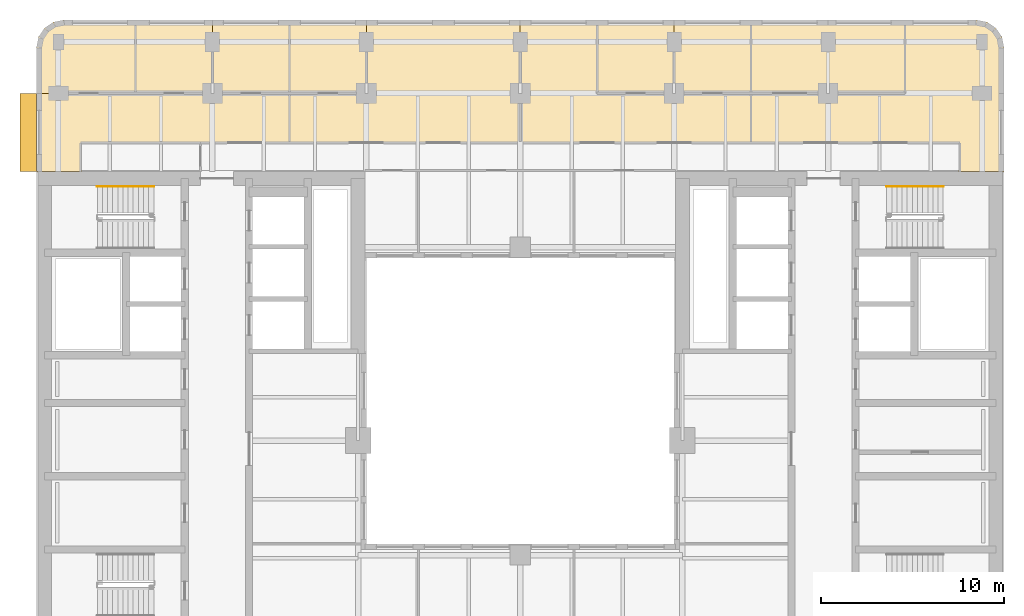
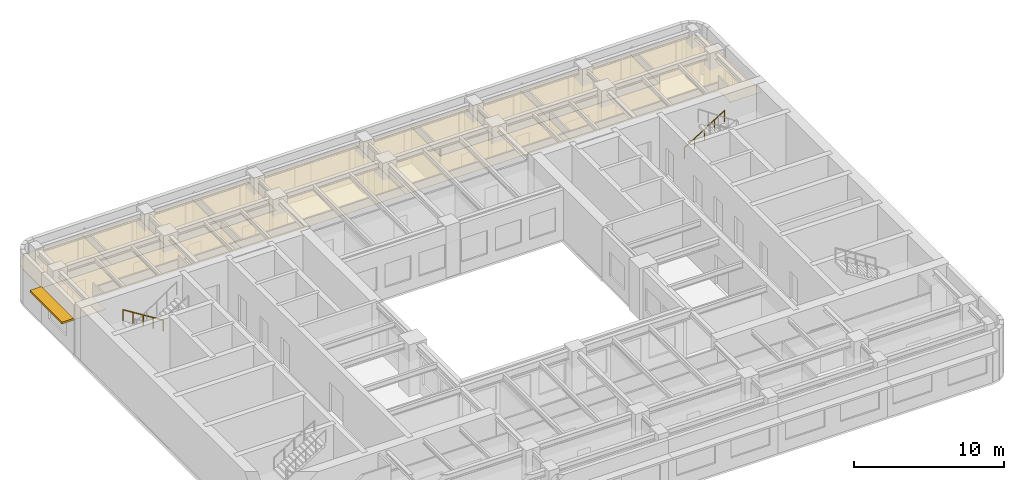
# One storey, part 11 of 11: 11 coverings, 2 railings, 1 shading device.
"""IFC4 building model written with IfcOpenShell, lengths in metres."""

from ifc_helpers import new_model, si_unit, direction, frame, origin, origin_2d, place, context, subcontext, project, spatial, polyline, rectangle, circle, outline, extrude, material, layer, layer_set, type_object, element, save


model = new_model("IFC4")

# Units and contexts
model_context = context("Model", 3, precision=1e-05, world=origin(), true_north=direction((0.0, 1.0)))
body_context = subcontext(model_context, "Body", "Model", "MODEL_VIEW")
ifc_project = project(units=[si_unit("LENGTHUNIT", "METRE"), si_unit("AREAUNIT", "SQUARE_METRE"), si_unit("VOLUMEUNIT", "CUBIC_METRE"), si_unit("PLANEANGLEUNIT", "RADIAN"), si_unit("MASSUNIT", "GRAM", prefix="KILO")], contexts=[model_context])

# Site, building, storey
site_placement = place(None, origin())
site = spatial("IfcSite", under=ifc_project, at=site_placement, CompositionType="ELEMENT")
building_placement = place(site_placement, origin())
building = spatial("IfcBuilding", under=site, at=building_placement, Name="Claustro Exchange Tower", CompositionType="ELEMENT")
storey_placement = place(building_placement, frame((0.0, 0.0, 219.60009765625)))
storey = spatial("IfcBuildingStorey", under=building, at=storey_placement, Name="L50", CompositionType="ELEMENT", Elevation=219.60009765625)

# Coverings
ifc_material_1 = material(Name="Perforated metal ceiling tiles", Category="steel")
ifc_layer_1 = layer(ifc_material_1, 0.030029296875)
ifc_layer_set_1 = layer_set([ifc_layer_1], Name="Perforated metal ceiling tiles")
covering_type_1 = type_object("IfcCoveringType", Name="CL1 suspended metal ceiling", PredefinedType="CEILING", material=ifc_layer_set_1)
covering_1_placement = place(storey_placement, frame((0.0, 0.0, 2.7998046875)))
element("IfcCovering", 1, at=covering_1_placement, inside=storey, type_object=covering_type_1, Name="Ceiling CL1 L50-23", PredefinedType="CEILING", context=body_context, shape_type="SweptSolid", body=[
    extrude(outline(polyline([(-1.125, 37.72509765625), (1.294921875, 37.72509765625), (1.294921875, 37.800048828125), (1.199951171875, 37.800048828125), (1.199951171875, 39.300048828125), (12.60009765625, 39.300048828125), (12.60009765625, 42.0), (-1.199951171875, 42.0), (-1.199951171875, 37.705078125), (-1.125, 37.705078125), (-1.125, 37.72509765625)])), origin(), (0.0, 0.0, 1.0), 0.030029296875),
])
ifc_material_2 = material(Name="Gypsum board ceiling", Category="gypsum board")
ifc_layer_2 = layer(ifc_material_2, 0.02490234375)
ifc_layer_set_2 = layer_set([ifc_layer_2], Name="Gypsum board ceiling")
covering_type_2 = type_object("IfcCoveringType", Name="CL2 plasterboard ceiling", PredefinedType="CEILING", material=ifc_layer_set_2)
covering_2_placement = place(storey_placement, frame((0.0, 0.0, 2.7998046875)))
element("IfcCovering", 2, at=covering_2_placement, inside=storey, type_object=covering_type_2, Name="Ceiling CL2 L50-24", PredefinedType="CEILING", context=body_context, shape_type="SweptSolid", body=[
    extrude(outline(polyline([(51.52490234375, 37.72509765625), (51.52490234375, 37.705078125), (51.60009765625, 37.705078125), (51.60009765625, 44.5), (51.48583984375, 45.073974609375), (51.16064453125, 45.560791015625), (50.674072265625, 45.8857421875), (50.10009765625, 46.0), (46.199951171875, 46.0), (46.199951171875, 42.0), (37.800048828125, 42.0), (37.800048828125, 39.300048828125), (49.199951171875, 39.300048828125), (49.199951171875, 37.800048828125), (49.10498046875, 37.800048828125), (49.10498046875, 37.72509765625), (51.52490234375, 37.72509765625)])), origin(), (0.0, 0.0, 1.0), 0.025146484375),
])
covering_3_placement = place(storey_placement, frame((0.0, 0.0, 2.7998046875)))
element("IfcCovering", 3, at=covering_3_placement, inside=storey, type_object=covering_type_2, Name="Ceiling CL2 L50-25", PredefinedType="CEILING", context=body_context, shape_type="SweptSolid", body=[
    extrude(outline(polyline([(29.39990234375, 46.0), (25.199951171875, 46.0), (25.199951171875, 39.300048828125), (37.800048828125, 39.300048828125), (37.800048828125, 42.0), (33.60009765625, 42.0), (29.39990234375, 42.0), (29.39990234375, 46.0)])), origin(), (0.0, 0.0, 1.0), 0.025146484375),
])
covering_4_placement = place(storey_placement, frame((0.0, 0.0, 2.7998046875)))
element("IfcCovering", 4, at=covering_4_placement, inside=storey, type_object=covering_type_2, Name="Ceiling CL2 L50-26", PredefinedType="CEILING", context=body_context, shape_type="SweptSolid", body=[
    extrude(outline(polyline([(25.199951171875, 46.0), (16.800048828125, 46.0), (16.800048828125, 42.0), (12.60009765625, 42.0), (12.60009765625, 39.300048828125), (25.199951171875, 39.300048828125), (25.199951171875, 46.0)])), origin(), (0.0, 0.0, 1.0), 0.025146484375),
])
covering_5_placement = place(storey_placement, frame((0.0, 0.0, 2.7998046875)))
element("IfcCovering", 5, at=covering_5_placement, inside=storey, type_object=covering_type_2, Name="Ceiling CL2 L50-27", PredefinedType="CEILING", context=body_context, shape_type="SweptSolid", body=[
    extrude(outline(polyline([(-1.199951171875, 44.5), (-1.199951171875, 42.0), (4.199951171875, 42.0), (4.199951171875, 46.0), (0.300048828125, 46.0), (-0.27392578125, 45.8857421875), (-0.7607421875, 45.560791015625), (-1.085693359375, 45.073974609375), (-1.199951171875, 44.5)])), origin(), (0.0, 0.0, 1.0), 0.025146484375),
])
covering_6_placement = place(storey_placement, frame((0.0, 0.0, 2.7998046875)))
element("IfcCovering", 6, at=covering_6_placement, inside=storey, type_object=covering_type_2, Name="Ceiling CL2 L50-28", PredefinedType="CEILING", context=body_context, shape_type="SweptSolid", body=[
    extrude(outline(polyline([(8.39990234375, 46.0), (4.199951171875, 46.0), (4.199951171875, 42.0), (8.39990234375, 42.0), (8.39990234375, 46.0)])), origin(), (0.0, 0.0, 1.0), 0.025146484375),
])
covering_7_placement = place(storey_placement, frame((0.0, 0.0, 2.7998046875)))
element("IfcCovering", 7, at=covering_7_placement, inside=storey, type_object=covering_type_2, Name="Ceiling CL2 L50-29", PredefinedType="CEILING", context=body_context, shape_type="SweptSolid", body=[
    extrude(outline(polyline([(12.60009765625, 46.0), (8.39990234375, 46.0), (8.39990234375, 42.0), (12.60009765625, 42.0), (12.60009765625, 46.0)])), origin(), (0.0, 0.0, 1.0), 0.025146484375),
])
covering_8_placement = place(storey_placement, frame((0.0, 0.0, 2.7998046875)))
element("IfcCovering", 8, at=covering_8_placement, inside=storey, type_object=covering_type_2, Name="Ceiling CL2 L50-30", PredefinedType="CEILING", context=body_context, shape_type="SweptSolid", body=[
    extrude(outline(polyline([(16.800048828125, 46.0), (12.60009765625, 46.0), (12.60009765625, 42.0), (16.800048828125, 42.0), (16.800048828125, 46.0)])), origin(), (0.0, 0.0, 1.0), 0.025146484375),
])
covering_9_placement = place(storey_placement, frame((0.0, 0.0, 2.7998046875)))
element("IfcCovering", 9, at=covering_9_placement, inside=storey, type_object=covering_type_2, Name="Ceiling CL2 L50-31", PredefinedType="CEILING", context=body_context, shape_type="SweptSolid", body=[
    extrude(outline(polyline([(33.60009765625, 46.0), (29.39990234375, 46.0), (29.39990234375, 42.0), (33.60009765625, 42.0), (33.60009765625, 46.0)])), origin(), (0.0, 0.0, 1.0), 0.025146484375),
])
covering_10_placement = place(storey_placement, frame((0.0, 0.0, 2.7998046875)))
element("IfcCovering", 10, at=covering_10_placement, inside=storey, type_object=covering_type_2, Name="Ceiling CL2 L50-32", PredefinedType="CEILING", context=body_context, shape_type="SweptSolid", body=[
    extrude(outline(polyline([(37.800048828125, 46.0), (33.60009765625, 46.0), (33.60009765625, 42.0), (37.800048828125, 42.0), (37.800048828125, 46.0)])), origin(), (0.0, 0.0, 1.0), 0.025146484375),
])
covering_11_placement = place(storey_placement, frame((0.0, 0.0, 2.7998046875)))
element("IfcCovering", 11, at=covering_11_placement, inside=storey, type_object=covering_type_2, Name="Ceiling CL2 L50-33", PredefinedType="CEILING", context=body_context, shape_type="SweptSolid", body=[
    extrude(outline(polyline([(46.199951171875, 46.0), (37.800048828125, 46.0), (37.800048828125, 42.0), (46.199951171875, 42.0), (46.199951171875, 46.0)])), origin(), (0.0, 0.0, 1.0), 0.025146484375),
])

# Railings
ifc_material_3 = material(Name="Stainless steel tube", Category="steel")
railing_type = type_object("IfcRailingType", Name="HR1 900 stair handrail", PredefinedType="HANDRAIL", material=ifc_material_3)
railing_1_placement = place(storey_placement, frame((5.199951171875, 36.9150390625, 0.1748046875)))
element("IfcRailing", 12, at=railing_1_placement, inside=storey, type_object=railing_type, Name="Handrail HR1 stair STWB L50", PredefinedType="HANDRAIL", context=body_context, shape_type="SweptSolid", body=[
    extrude(circle(Radius=0.02392578125, at=origin_2d()), frame((0.0, 0.0, 0.8759765625), z_axis=(-0.847979421464, 0.0, 0.530029150871), x_axis=(0.0, -1.0, 0.0)), (0.0, 0.0, 1.0), 3.632080078125),
    extrude(circle(Radius=0.02099609375, at=origin_2d()), origin(), (0.0, 0.0, 1.0), 0.851806640625),
    extrude(circle(Radius=0.02099609375, at=origin_2d()), frame((-0.77001953125, 0.0, 0.481201171875)), (0.0, 0.0, 1.0), 0.851806640625),
    extrude(circle(Radius=0.02099609375, at=origin_2d()), frame((-1.5400390625, 0.0, 0.96240234375)), (0.0, 0.0, 1.0), 0.851806640625),
    extrude(circle(Radius=0.02099609375, at=origin_2d()), frame((-2.309814453125, 0.0, 1.44384765625)), (0.0, 0.0, 1.0), 0.851806640625),
    extrude(circle(Radius=0.02099609375, at=origin_2d()), frame((-3.079833984375, 0.0, 1.925048828125)), (0.0, 0.0, 1.0), 0.851806640625),
])
railing_2_placement = place(storey_placement, frame((45.199951171875, 36.9150390625, 0.1748046875)))
element("IfcRailing", 13, at=railing_2_placement, inside=storey, type_object=railing_type, Name="Handrail HR1 stair STEB L50", PredefinedType="HANDRAIL", context=body_context, shape_type="SweptSolid", body=[
    extrude(circle(Radius=0.02392578125, at=origin_2d()), frame((0.0, 0.0, 0.8759765625), z_axis=(0.847998304005, 0.0, 0.529998940003), x_axis=(0.0, 1.0, 0.0)), (0.0, 0.0, 1.0), 3.632080078125),
    extrude(circle(Radius=0.02099609375, at=origin_2d()), origin(), (0.0, 0.0, 1.0), 0.851806640625),
    extrude(circle(Radius=0.02099609375, at=origin_2d()), frame((0.77001953125, 0.0, 0.481201171875)), (0.0, 0.0, 1.0), 0.851806640625),
    extrude(circle(Radius=0.02099609375, at=origin_2d()), frame((1.5400390625, 0.0, 0.96240234375)), (0.0, 0.0, 1.0), 0.851806640625),
    extrude(circle(Radius=0.02099609375, at=origin_2d()), frame((2.31005859375, 0.0, 1.44384765625)), (0.0, 0.0, 1.0), 0.851806640625),
    extrude(circle(Radius=0.02099609375, at=origin_2d()), frame((3.080078125, 0.0, 1.925048828125)), (0.0, 0.0, 1.0), 0.851806640625),
])

# Shading device
ifc_material_4 = material(Name="Concrete HA-40 (C40/50), precast, white cement, acid-etched", Category="concrete")
ifc_layer_3 = layer(ifc_material_4, 0.14990234375)
ifc_layer_set_3 = layer_set([ifc_layer_3], Name="Concrete HA-40 (C40/50), precast, white cement, acid-etched")
shading_device_type = type_object("IfcShadingDeviceType", Name="SS2 900 precast concrete SUNSHADE", PredefinedType="SHUTTER", material=ifc_layer_set_3)
shading_device_placement = place(storey_placement, frame((-1.64990234375, 39.862548828125, 2.800048828125), z_axis=(0.0, 0.0, 1.0), x_axis=(0.0, 1.0, 0.0)))
element("IfcShadingDevice", 14, at=shading_device_placement, inside=storey, type_object=shading_device_type, Name="Precast SUNSHADE SS2 L50", PredefinedType="SHUTTER", context=body_context, shape_type="SweptSolid", body=[
    extrude(rectangle(XDim=4.27490234375, YDim=0.89990234375, at=origin_2d()), origin(), (0.0, 0.0, 1.0), 0.14990234375),
])

save(model, "model.ifc")
